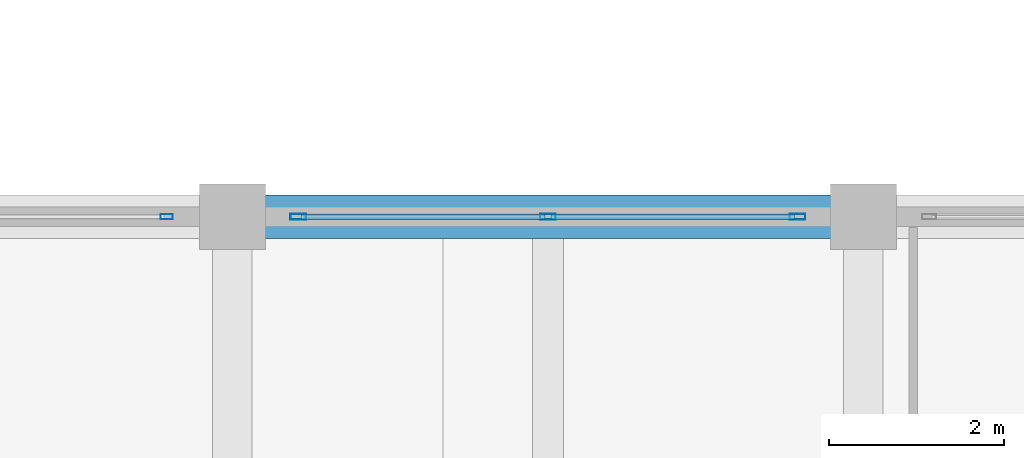
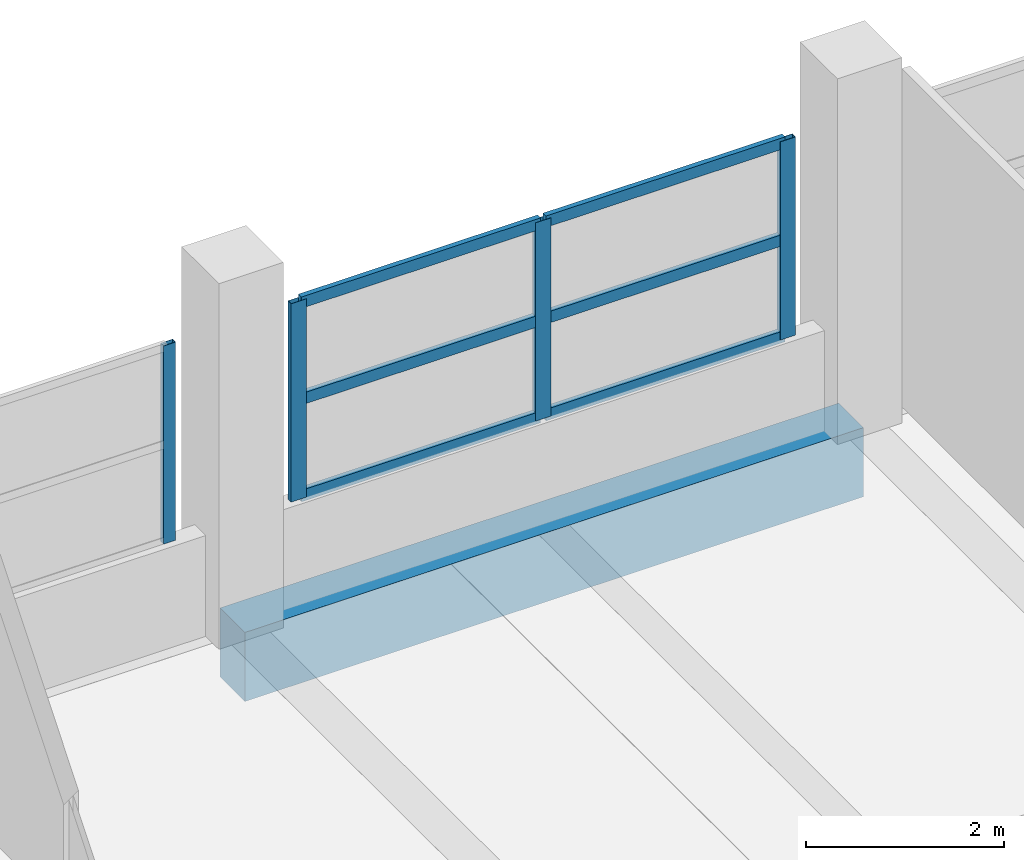
# One storey, part 31 of 141: 10 members, 1 beam, 2 elements without a shape of their own.
"""IFC4 building model written with IfcOpenShell, lengths in metres."""

from ifc_helpers import new_model, si_unit, direction, frame, origin, origin_2d, place, context, subcontext, project, spatial, rectangle, hollow_rectangle, extrude, material, layer, layer_set, material_profile, profile_set, type_object, element, aggregate, save


model = new_model("IFC4")

# Units and contexts
model_context = context("Model", 3, precision=1e-05, world=origin(), true_north=direction((0.0, 1.0)))
body_context = subcontext(model_context, "Body", "Model", "MODEL_VIEW")
ifc_project = project(units=[si_unit("LENGTHUNIT", "METRE"), si_unit("AREAUNIT", "SQUARE_METRE"), si_unit("VOLUMEUNIT", "CUBIC_METRE"), si_unit("PLANEANGLEUNIT", "RADIAN"), si_unit("MASSUNIT", "GRAM", prefix="KILO")], contexts=[model_context])

# Site, building, storey
site_placement = place(None, origin())
site = spatial("IfcSite", under=ifc_project, at=site_placement, CompositionType="ELEMENT")
building_placement = place(site_placement, origin())
building = spatial("IfcBuilding", under=site, at=building_placement, Name="Seraya Terrace Polytechnic", CompositionType="ELEMENT")
storey_placement = place(building_placement, frame((0.0, 0.0, 14.39990234375)))
storey = spatial("IfcBuildingStorey", under=building, at=storey_placement, Name="L03", CompositionType="ELEMENT", Elevation=14.39990234375)

# Beam
ifc_material_1 = material(Name="Concrete C40/50", Category="concrete")
ifc_material_profile_1 = material_profile(ifc_material_1, rectangle(XDim=0.5, YDim=0.85009765625, at=origin_2d()), Name="RC 500x850")
ifc_profile_set_1 = profile_set([ifc_material_profile_1], Name="Concrete C40/50")
beam_type = type_object("IfcBeamType", Name="BM-05", PredefinedType="BEAM", material=ifc_profile_set_1)
beam_placement = place(storey_placement, frame((64.800048828125, 28.800048828125, -0.4248046875), z_axis=(1.0, 0.0, 0.0), x_axis=(0.0, 1.0, 0.0)))
element("IfcBeam", 1, at=beam_placement, inside=storey, type_object=beam_type, Name="Beam BM-05 L03 X (64.8..72.0, 28.8)", PredefinedType="BEAM", context=body_context, shape_type="SweptSolid", body=[
    extrude(rectangle(XDim=0.5, YDim=0.85009765625, at=origin_2d()), origin(), (0.0, 0.0, 1.0), 7.199951171875),
])

# Curtain wall, members
ifc_material_2 = material(Name="Anodised aluminium EN AW-6063 T6", Category="aluminium")
ifc_layer_1 = layer(ifc_material_2, 0.179931640625, Name="CW-10")
ifc_layer_set_1 = layer_set([ifc_layer_1], Name="Anodised aluminium EN AW-6063 T6")
curtain_wall_type_1 = type_object("IfcCurtainWallType", Name="CW-10", PredefinedType="NOTDEFINED", material=ifc_layer_set_1)
curtain_wall_1_placement = place(storey_placement, origin())
curtain_wall_1 = element("IfcCurtainWall", 2, at=curtain_wall_1_placement, inside=storey, type_object=curtain_wall_type_1, Name="Unitised curtain wall CW-10 (CW-L03-154)", PredefinedType="NOTDEFINED")
ifc_material_profile_2 = material_profile(ifc_material_2, hollow_rectangle(XDim=0.06494140625, YDim=0.179931640625, WallThickness=0.00390625, at=origin_2d()), Name="RHS 180x65x4.0")
ifc_profile_set_2 = profile_set([ifc_material_profile_2], Name="Anodised aluminium EN AW-6063 T6")
member_type_1 = type_object("IfcMemberType", Name="CWM-01", PredefinedType="MULLION", material=ifc_profile_set_2)
member_1_placement = place(storey_placement, frame((65.552490234375, 28.800048828125, 1.239990234375), z_axis=(0.0, 0.0, 1.0), x_axis=(0.0, 1.0, 0.0)))
member_1 = element("IfcMember", 3, at=member_1_placement, type_object=member_type_1, Name="CW-10 mullion 1", PredefinedType="MULLION", context=body_context, shape_type="SweptSolid", body=[
    extrude(hollow_rectangle(XDim=0.06494140625, YDim=0.179931640625, WallThickness=0.00390625, at=origin_2d()), origin(), (0.0, 0.0, 1.0), 2.440185546875),
])
member_2_placement = place(storey_placement, frame((68.39990234375, 28.800048828125, 1.239990234375), z_axis=(0.0, 0.0, 1.0), x_axis=(0.0, 1.0, 0.0)))
member_2 = element("IfcMember", 4, at=member_2_placement, type_object=member_type_1, Name="CW-10 mullion 2", PredefinedType="MULLION", context=body_context, shape_type="SweptSolid", body=[
    extrude(hollow_rectangle(XDim=0.06494140625, YDim=0.179931640625, WallThickness=0.00390625, at=origin_2d()), origin(), (0.0, 0.0, 1.0), 2.440185546875),
])
member_3_placement = place(storey_placement, frame((71.24755859375, 28.800048828125, 1.239990234375), z_axis=(0.0, 0.0, 1.0), x_axis=(0.0, 1.0, 0.0)))
member_3 = element("IfcMember", 5, at=member_3_placement, type_object=member_type_1, Name="CW-10 mullion 3", PredefinedType="MULLION", context=body_context, shape_type="SweptSolid", body=[
    extrude(hollow_rectangle(XDim=0.06494140625, YDim=0.179931640625, WallThickness=0.00390625, at=origin_2d()), origin(), (0.0, 0.0, 1.0), 2.440185546875),
])

# Curtain wall, member
ifc_layer_2 = layer(ifc_material_2, 0.179931640625, Name="CW-09")
ifc_layer_set_2 = layer_set([ifc_layer_2], Name="Anodised aluminium EN AW-6063 T6")
curtain_wall_type_2 = type_object("IfcCurtainWallType", Name="CW-09", PredefinedType="NOTDEFINED", material=ifc_layer_set_2)
curtain_wall_2_placement = place(storey_placement, origin())
curtain_wall_2 = element("IfcCurtainWall", 6, at=curtain_wall_2_placement, inside=storey, type_object=curtain_wall_type_2, Name="Unitised curtain wall CW-09 (CW-L03-153)", PredefinedType="NOTDEFINED")
ifc_material_profile_3 = material_profile(ifc_material_2, hollow_rectangle(XDim=0.06005859375, YDim=0.139892578125, WallThickness=0.00341796875, at=origin_2d()), Name="RHS 140x60x3.5")
ifc_profile_set_3 = profile_set([ifc_material_profile_3], Name="Anodised aluminium EN AW-6063 T6")
member_type_2 = type_object("IfcMemberType", Name="CWM-03", PredefinedType="MULLION", material=ifc_profile_set_3)
member_4_placement = place(storey_placement, frame((64.050048828125, 28.800048828125, 1.239990234375), z_axis=(0.0, 0.0, 1.0), x_axis=(0.0, 1.0, 0.0)))
member_4 = element("IfcMember", 7, at=member_4_placement, type_object=member_type_2, Name="CW-09 mullion 3", PredefinedType="MULLION", context=body_context, shape_type="SweptSolid", body=[
    extrude(hollow_rectangle(XDim=0.06005859375, YDim=0.139892578125, WallThickness=0.00341796875, at=origin_2d()), origin(), (0.0, 0.0, 1.0), 2.440185546875),
])
aggregate(curtain_wall_2, [member_4])

# Member
ifc_material_profile_4 = material_profile(ifc_material_2, hollow_rectangle(XDim=0.06005859375, YDim=0.139892578125, WallThickness=0.00341796875, at=origin_2d()), Name="RHS 140x60x3.5")
ifc_profile_set_4 = profile_set([ifc_material_profile_4], Name="Anodised aluminium EN AW-6063 T6")
member_type_3 = type_object("IfcMemberType", Name="CWT-01", PredefinedType="USERDEFINED", material=ifc_profile_set_4)
member_5_placement = place(storey_placement, frame((65.5849609375, 28.800048828125, 1.27001953125), z_axis=(1.0, 0.0, 0.0), x_axis=(0.0, 1.0, 0.0)))
member_5 = element("IfcMember", 8, at=member_5_placement, type_object=member_type_3, Name="CW-10 transom 1.1", ObjectType="TRANSOM", PredefinedType="USERDEFINED", context=body_context, shape_type="SweptSolid", body=[
    extrude(hollow_rectangle(XDim=0.06005859375, YDim=0.139892578125, WallThickness=0.00341796875, at=origin_2d()), origin(), (0.0, 0.0, 1.0), 2.782470703125),
])

member_6_placement = place(storey_placement, frame((65.5849609375, 28.800048828125, 2.460205078125), z_axis=(1.0, 0.0, 0.0), x_axis=(0.0, 1.0, 0.0)))
member_6 = element("IfcMember", 9, at=member_6_placement, type_object=member_type_3, Name="CW-10 transom 1.2", ObjectType="TRANSOM", PredefinedType="USERDEFINED", context=body_context, shape_type="SweptSolid", body=[
    extrude(hollow_rectangle(XDim=0.06005859375, YDim=0.139892578125, WallThickness=0.00341796875, at=origin_2d()), origin(), (0.0, 0.0, 1.0), 2.782470703125),
])

member_7_placement = place(storey_placement, frame((65.5849609375, 28.800048828125, 3.650146484375), z_axis=(1.0, 0.0, 0.0), x_axis=(0.0, 1.0, 0.0)))
member_7 = element("IfcMember", 10, at=member_7_placement, type_object=member_type_3, Name="CW-10 transom 1.3", ObjectType="TRANSOM", PredefinedType="USERDEFINED", context=body_context, shape_type="SweptSolid", body=[
    extrude(hollow_rectangle(XDim=0.06005859375, YDim=0.139892578125, WallThickness=0.00341796875, at=origin_2d()), origin(), (0.0, 0.0, 1.0), 2.782470703125),
])

member_8_placement = place(storey_placement, frame((68.4326171875, 28.800048828125, 1.27001953125), z_axis=(1.0, 0.0, 0.0), x_axis=(0.0, 1.0, 0.0)))
member_8 = element("IfcMember", 11, at=member_8_placement, type_object=member_type_3, Name="CW-10 transom 2.1", ObjectType="TRANSOM", PredefinedType="USERDEFINED", context=body_context, shape_type="SweptSolid", body=[
    extrude(hollow_rectangle(XDim=0.06005859375, YDim=0.139892578125, WallThickness=0.00341796875, at=origin_2d()), origin(), (0.0, 0.0, 1.0), 2.782470703125),
])

member_9_placement = place(storey_placement, frame((68.4326171875, 28.800048828125, 2.460205078125), z_axis=(1.0, 0.0, 0.0), x_axis=(0.0, 1.0, 0.0)))
member_9 = element("IfcMember", 12, at=member_9_placement, type_object=member_type_3, Name="CW-10 transom 2.2", ObjectType="TRANSOM", PredefinedType="USERDEFINED", context=body_context, shape_type="SweptSolid", body=[
    extrude(hollow_rectangle(XDim=0.06005859375, YDim=0.139892578125, WallThickness=0.00341796875, at=origin_2d()), origin(), (0.0, 0.0, 1.0), 2.782470703125),
])

member_10_placement = place(storey_placement, frame((68.4326171875, 28.800048828125, 3.650146484375), z_axis=(1.0, 0.0, 0.0), x_axis=(0.0, 1.0, 0.0)))
member_10 = element("IfcMember", 13, at=member_10_placement, type_object=member_type_3, Name="CW-10 transom 2.3", ObjectType="TRANSOM", PredefinedType="USERDEFINED", context=body_context, shape_type="SweptSolid", body=[
    extrude(hollow_rectangle(XDim=0.06005859375, YDim=0.139892578125, WallThickness=0.00341796875, at=origin_2d()), origin(), (0.0, 0.0, 1.0), 2.782470703125),
])

aggregate(curtain_wall_1, [member_1, member_2, member_3, member_5, member_6, member_7, member_8, member_9, member_10])

save(model, "model.ifc")
